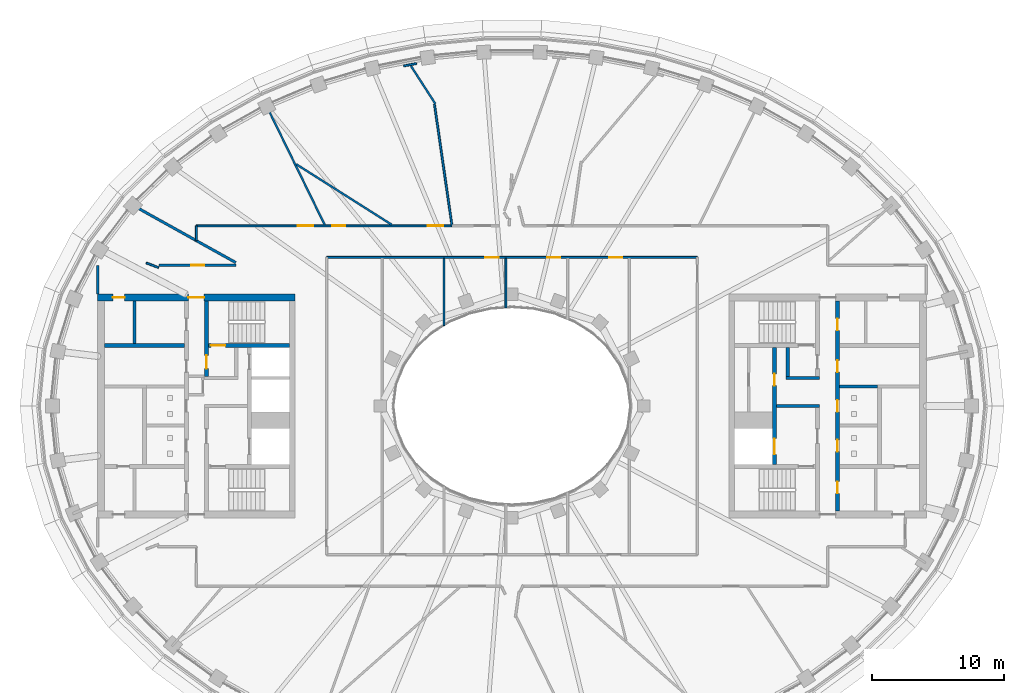
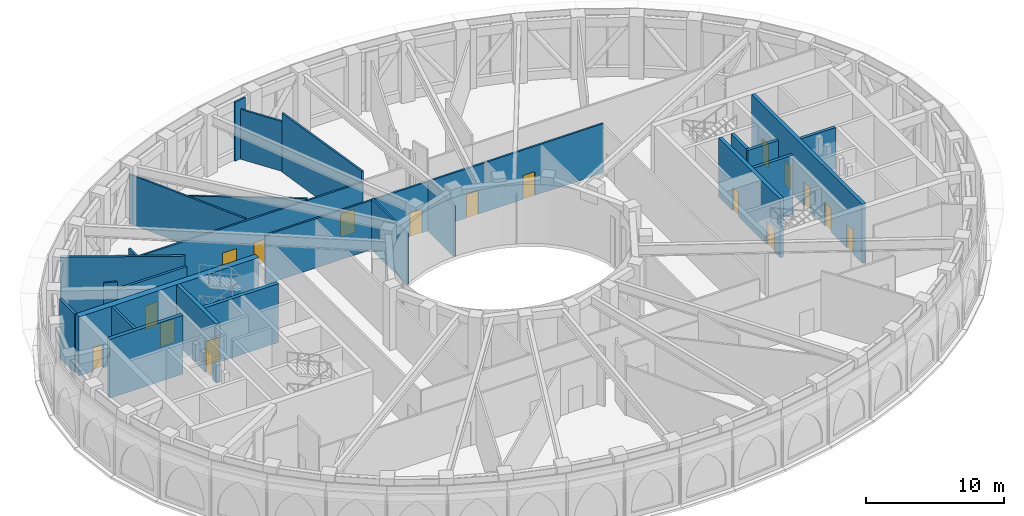
# One storey, part 7 of 23: 25 walls, 18 doors, 18 openings.
"""IFC4 building model written with IfcOpenShell, lengths in metres."""

from ifc_helpers import new_model, si_unit, direction, frame, frame_2d, origin, place, context, subcontext, project, spatial, rectangle, extrude, material, layer, layer_set, type_object, element, fill, save


model = new_model("IFC4")

# Units and contexts
model_context = context("Model", 3, precision=1e-05, world=origin(), true_north=direction((0.0, 1.0)))
body_context = subcontext(model_context, "Body", "Model", "MODEL_VIEW")
ifc_project = project(units=[si_unit("LENGTHUNIT", "METRE"), si_unit("AREAUNIT", "SQUARE_METRE"), si_unit("VOLUMEUNIT", "CUBIC_METRE"), si_unit("PLANEANGLEUNIT", "RADIAN"), si_unit("MASSUNIT", "GRAM", prefix="KILO")], contexts=[model_context])

# Site, building, storey
site_placement = place(None, origin())
site = spatial("IfcSite", under=ifc_project, at=site_placement, CompositionType="ELEMENT")
building_placement = place(site_placement, origin())
building = spatial("IfcBuilding", under=site, at=building_placement, Name="Noorbagh Ring Tower", CompositionType="ELEMENT")
storey_placement = place(building_placement, frame((0.0, 0.0, 285.5)))
storey = spatial("IfcBuildingStorey", under=building, at=storey_placement, Name="L61", CompositionType="ELEMENT", Elevation=285.5)

# Wall
ifc_material_1 = material(Name="Gypsum board on steel studs", Category="steel")
ifc_layer_1 = layer(ifc_material_1, 0.14990234375)
ifc_layer_set_1 = layer_set([ifc_layer_1], Name="Gypsum board on steel studs")
wall_type_1 = type_object("IfcWallType", Name="COMPARTMENT PARTITION 150 EI 60", PredefinedType="PARTITIONING", material=ifc_layer_set_1)
wall_1_placement = place(storey_placement, frame((-24.0, 12.572509765625, 0.0), z_axis=(0.0, 0.0, 1.0), x_axis=(0.0, 1.0, 0.0)))
element("IfcWall", 1, at=wall_1_placement, inside=storey, type_object=wall_type_1, Name="L61/wall/P10", PredefinedType="PARTITIONING", context=body_context, shape_type="SweptSolid", body=[
    extrude(rectangle(XDim=1.12744140625, YDim=0.14990234375, at=frame_2d((0.563720703125, 0.0))), origin(), (0.0, 0.0, 1.0), 5.199951171875),
])

# Wall, openings, doors
wall_2_placement = place(storey_placement, frame((-24.0, 13.699951171875, 0.0), z_axis=(0.0, 0.0, 1.0), x_axis=(1.0, 0.0, 0.0)))
wall_2 = element("IfcWall", 2, at=wall_2_placement, inside=storey, type_object=wall_type_1, Name="L61/wall/P11", PredefinedType="PARTITIONING", context=body_context, shape_type="SweptSolid", body=[
    extrude(rectangle(XDim=19.419921875, YDim=0.14990234375, at=frame_2d((9.7099609375, 0.0))), origin(), (0.0, 0.0, 1.0), 4.25),
])
opening_1_placement = place(wall_2_placement, frame((7.696044921875, 0.0, 0.0)))
opening_1 = element("IfcOpeningElement", 3, at=opening_1_placement, cuts=wall_2, Name="Opening D7", PredefinedType="OPENING", context=body_context, shape_type="SweptSolid", body=[
    extrude(rectangle(XDim=1.199951171875, YDim=2.10009765625, at=frame_2d((0.60009765625, 1.050048828125))), frame((0.0, 0.0849609375, 0.0), z_axis=(0.0, -1.0, 0.0), x_axis=(1.0, 0.0, 0.0)), (0.0, 0.0, 1.0), 0.169921875),
])
opening_2_placement = place(wall_2_placement, frame((17.590087890625, 0.0, 0.0)))
opening_2 = element("IfcOpeningElement", 4, at=opening_2_placement, cuts=wall_2, Name="Opening D7", PredefinedType="OPENING", context=body_context, shape_type="SweptSolid", body=[
    extrude(rectangle(XDim=1.199951171875, YDim=2.10009765625, at=frame_2d((0.60009765625, 1.050048828125))), frame((0.0, 0.0849609375, 0.0), z_axis=(0.0, -1.0, 0.0), x_axis=(1.0, 0.0, 0.0)), (0.0, 0.0, 1.0), 0.169921875),
])
opening_3_placement = place(wall_2_placement, frame((10.337890625, 0.0, 0.0)))
opening_3 = element("IfcOpeningElement", 5, at=opening_3_placement, cuts=wall_2, Name="Opening D6", PredefinedType="OPENING", context=body_context, shape_type="SweptSolid", body=[
    extrude(rectangle(XDim=1.0, YDim=2.10009765625, at=frame_2d((0.5, 1.050048828125))), frame((0.0, 0.0849609375, 0.0), z_axis=(0.0, -1.0, 0.0), x_axis=(1.0, 0.0, 0.0)), (0.0, 0.0, 1.0), 0.169921875),
])
ifc_material_2 = material(Name="Timber, painted", Category="wood")
door_type_1 = type_object("IfcDoorType", Name="DOOR 1000 X 2100 FD60", OperationType="SINGLE_SWING_LEFT", PredefinedType="DOOR", material=ifc_material_2)
door_1_placement = place(opening_3_placement, origin())
door_1 = element("IfcDoor", 6, at=door_1_placement, inside=storey, type_object=door_type_1, Name="L61-D06", OperationType="SINGLE_SWING_RIGHT", OverallHeight=2.10009765625, OverallWidth=1.0, PredefinedType="DOOR", context=body_context, shape_type="SweptSolid", body=[
    extrude(rectangle(XDim=1.0, YDim=2.10009765625, at=frame_2d((0.5, 1.050048828125))), frame((0.0, 0.02490234375, 0.0), z_axis=(0.0, -1.0, 0.0), x_axis=(1.0, 0.0, 0.0)), (0.0, 0.0, 1.0), 0.050048828125),
])
fill(opening_3, door_1)
ifc_material_3 = material(Name="Timber, painted", Category="wood")
door_type_2 = type_object("IfcDoorType", Name="DOOR 1200 X 2100 FD60", OperationType="SINGLE_SWING_LEFT", PredefinedType="DOOR", material=ifc_material_3)
door_2_placement = place(opening_1_placement, origin())
door_2 = element("IfcDoor", 7, at=door_2_placement, inside=storey, type_object=door_type_2, Name="L61-D03", OperationType="SINGLE_SWING_LEFT", OverallHeight=2.10009765625, OverallWidth=1.199951171875, PredefinedType="DOOR", context=body_context, shape_type="SweptSolid", body=[
    extrude(rectangle(XDim=1.199951171875, YDim=2.10009765625, at=frame_2d((0.60009765625, 1.050048828125))), frame((0.0, 0.02490234375, 0.0), z_axis=(0.0, -1.0, 0.0), x_axis=(1.0, 0.0, 0.0)), (0.0, 0.0, 1.0), 0.050048828125),
])
fill(opening_1, door_2)
door_3_placement = place(opening_2_placement, origin())
door_3 = element("IfcDoor", 8, at=door_3_placement, inside=storey, type_object=door_type_2, Name="L61-D05", OperationType="SINGLE_SWING_LEFT", OverallHeight=2.10009765625, OverallWidth=1.199951171875, PredefinedType="DOOR", context=body_context, shape_type="SweptSolid", body=[
    extrude(rectangle(XDim=1.199951171875, YDim=2.10009765625, at=frame_2d((0.60009765625, 1.050048828125))), frame((0.0, 0.02490234375, 0.0), z_axis=(0.0, -1.0, 0.0), x_axis=(1.0, 0.0, 0.0)), (0.0, 0.0, 1.0), 0.050048828125),
])
fill(opening_2, door_3)

# Walls
wall_3_placement = place(storey_placement, frame((-18.68994140625, 22.875, 0.0), z_axis=(0.0, 0.0, 1.0), x_axis=(0.439213157978, -0.898382881548, 0.0)))
element("IfcWall", 9, at=wall_3_placement, inside=storey, type_object=wall_type_1, Name="L61/wall/P12", PredefinedType="PARTITIONING", context=body_context, shape_type="SweptSolid", body=[
    extrude(rectangle(XDim=10.12939453125, YDim=0.14990234375, at=frame_2d((5.064697265625, 0.0))), origin(), (0.0, 0.0, 1.0), 4.35009765625),
])
wall_4_placement = place(storey_placement, frame((-16.412109375, 18.385986328125, 0.0), z_axis=(0.0, 0.0, 1.0), x_axis=(0.844880980816, -0.534954323523, 0.0)))
element("IfcWall", 10, at=wall_4_placement, inside=storey, type_object=wall_type_1, Name="L61/wall/P13", PredefinedType="PARTITIONING", context=body_context, shape_type="SweptSolid", body=[
    extrude(rectangle(XDim=8.615478515625, YDim=0.14990234375, at=frame_2d((4.3076171875, 0.0))), origin(), (0.0, 0.0, 1.0), 4.35009765625),
])

# Wall, openings, doors
wall_5_placement = place(storey_placement, frame((-14.10009765625, 11.300048828125, 0.0), z_axis=(0.0, 0.0, 1.0), x_axis=(1.0, 0.0, 0.0)))
wall_5 = element("IfcWall", 11, at=wall_5_placement, inside=storey, type_object=wall_type_1, Name="L61/wall/P17", PredefinedType="PARTITIONING", context=body_context, shape_type="SweptSolid", body=[
    extrude(rectangle(XDim=28.2001953125, YDim=0.14990234375, at=frame_2d((14.10009765625, 0.0))), origin(), (0.0, 0.0, 1.0), 4.35009765625),
])
opening_4_placement = place(wall_5_placement, frame((12.080078125, 0.0, 0.0)))
opening_4 = element("IfcOpeningElement", 12, at=opening_4_placement, cuts=wall_5, Name="Opening D6", PredefinedType="OPENING", context=body_context, shape_type="SweptSolid", body=[
    extrude(rectangle(XDim=1.0, YDim=2.10009765625, at=frame_2d((0.5, 1.050048828125))), frame((0.0, 0.0849609375, 0.0), z_axis=(0.0, -1.0, 0.0), x_axis=(1.0, 0.0, 0.0)), (0.0, 0.0, 1.0), 0.169921875),
])
opening_5_placement = place(wall_5_placement, frame((16.780029296875, 0.0, 0.0)))
opening_5 = element("IfcOpeningElement", 13, at=opening_5_placement, cuts=wall_5, Name="Opening D6", PredefinedType="OPENING", context=body_context, shape_type="SweptSolid", body=[
    extrude(rectangle(XDim=1.0, YDim=2.10009765625, at=frame_2d((0.5, 1.050048828125))), frame((0.0, 0.0849609375, 0.0), z_axis=(0.0, -1.0, 0.0), x_axis=(1.0, 0.0, 0.0)), (0.0, 0.0, 1.0), 0.169921875),
])
opening_6_placement = place(wall_5_placement, frame((21.47998046875, 0.0, 0.0)))
opening_6 = element("IfcOpeningElement", 14, at=opening_6_placement, cuts=wall_5, Name="Opening D6", PredefinedType="OPENING", context=body_context, shape_type="SweptSolid", body=[
    extrude(rectangle(XDim=1.0, YDim=2.10009765625, at=frame_2d((0.5, 1.050048828125))), frame((0.0, 0.0849609375, 0.0), z_axis=(0.0, -1.0, 0.0), x_axis=(1.0, 0.0, 0.0)), (0.0, 0.0, 1.0), 0.169921875),
])
door_4_placement = place(opening_4_placement, origin())
door_4 = element("IfcDoor", 15, at=door_4_placement, inside=storey, type_object=door_type_1, Name="L61-D22", OperationType="SINGLE_SWING_RIGHT", OverallHeight=2.10009765625, OverallWidth=1.0, PredefinedType="DOOR", context=body_context, shape_type="SweptSolid", body=[
    extrude(rectangle(XDim=1.0, YDim=2.10009765625, at=frame_2d((0.5, 1.050048828125))), frame((0.0, 0.02490234375, 0.0), z_axis=(0.0, -1.0, 0.0), x_axis=(1.0, 0.0, 0.0)), (0.0, 0.0, 1.0), 0.050048828125),
])
fill(opening_4, door_4)
door_5_placement = place(opening_5_placement, origin())
door_5 = element("IfcDoor", 16, at=door_5_placement, inside=storey, type_object=door_type_1, Name="L61-D24", OperationType="SINGLE_SWING_RIGHT", OverallHeight=2.10009765625, OverallWidth=1.0, PredefinedType="DOOR", context=body_context, shape_type="SweptSolid", body=[
    extrude(rectangle(XDim=1.0, YDim=2.10009765625, at=frame_2d((0.5, 1.050048828125))), frame((0.0, 0.02490234375, 0.0), z_axis=(0.0, -1.0, 0.0), x_axis=(1.0, 0.0, 0.0)), (0.0, 0.0, 1.0), 0.050048828125),
])
fill(opening_5, door_5)
door_6_placement = place(opening_6_placement, origin())
door_6 = element("IfcDoor", 17, at=door_6_placement, inside=storey, type_object=door_type_1, Name="L61-D26", OperationType="SINGLE_SWING_RIGHT", OverallHeight=2.10009765625, OverallWidth=1.0, PredefinedType="DOOR", context=body_context, shape_type="SweptSolid", body=[
    extrude(rectangle(XDim=1.0, YDim=2.10009765625, at=frame_2d((0.5, 1.050048828125))), frame((0.0, 0.02490234375, 0.0), z_axis=(0.0, -1.0, 0.0), x_axis=(1.0, 0.0, 0.0)), (0.0, 0.0, 1.0), 0.050048828125),
])
fill(opening_6, door_6)

# Walls
wall_6_placement = place(storey_placement, frame((-7.6826171875, 25.85009765625, 0.0), z_axis=(0.0, 0.0, 1.0), x_axis=(0.542618686321, -0.839979143346, 0.0)))
element("IfcWall", 18, at=wall_6_placement, inside=storey, type_object=wall_type_1, Name="L61/wall/P21", PredefinedType="PARTITIONING", context=body_context, shape_type="SweptSolid", body=[
    extrude(rectangle(XDim=3.42529296875, YDim=0.14990234375, at=frame_2d((1.712646484375, 0.0))), origin(), (0.0, 0.0, 1.0), 4.39990234375),
])
wall_7_placement = place(storey_placement, frame((-5.89599609375, 22.946044921875, 0.0), z_axis=(0.0, 0.0, 1.0), x_axis=(0.143001721329, -0.989722439726, 0.0)))
element("IfcWall", 19, at=wall_7_placement, inside=storey, type_object=wall_type_1, Name="L61/wall/P22", PredefinedType="PARTITIONING", context=body_context, shape_type="SweptSolid", body=[
    extrude(rectangle(XDim=9.342041015625, YDim=0.14990234375, at=frame_2d((4.6708984375, 0.0))), origin(), (0.0, 0.0, 1.0), 5.199951171875),
])
wall_8_placement = place(storey_placement, frame((-5.169921875, 6.10498046875, 0.0), z_axis=(0.0, 0.0, 1.0), x_axis=(0.0, 1.0, 0.0)))
element("IfcWall", 20, at=wall_8_placement, inside=storey, type_object=wall_type_1, Name="L61/wall/P24", PredefinedType="PARTITIONING", context=body_context, shape_type="SweptSolid", body=[
    extrude(rectangle(XDim=5.1201171875, YDim=0.14990234375, at=frame_2d((2.56005859375, 0.0))), origin(), (0.0, 0.0, 1.0), 4.5),
])
wall_9_placement = place(storey_placement, frame((-0.469970703125, 7.468994140625, 0.0), z_axis=(0.0, 0.0, 1.0), x_axis=(0.0, 1.0, 0.0)))
element("IfcWall", 21, at=wall_9_placement, inside=storey, type_object=wall_type_1, Name="L61/wall/P29", PredefinedType="PARTITIONING", context=body_context, shape_type="SweptSolid", body=[
    extrude(rectangle(XDim=3.756103515625, YDim=0.14990234375, at=frame_2d((1.8779296875, 0.0))), origin(), (0.0, 0.0, 1.0), 4.5),
])
for number, where, z_axis, x_axis, name in (
    (22, (-27.806396484375, 10.876953125, 0.0), (0.0, 0.0, 1.0), (0.935251310729, -0.35398444285, 0.0), "L61/wall/P63"),
    (23, (-7.253662109375, 26.04150390625, 0.0), (0.0, 0.0, 1.0), (-0.981609036544, -0.190902329415, 0.0), "L61/wall/P65"),
):
    element("IfcWall", number, at=place(storey_placement, frame(where, z_axis=z_axis, x_axis=x_axis)), inside=storey, type_object=wall_type_1, Name=name, PredefinedType="PARTITIONING", context=body_context, shape_type="SweptSolid", body=[
        extrude(rectangle(XDim=1.0, YDim=0.14990234375, at=frame_2d((0.5, 0.0))), origin(), (0.0, 0.0, 1.0), 5.199951171875),
    ])
ifc_material_4 = material(Name="Gypsum board on steel studs", Category="steel")
ifc_layer_2 = layer(ifc_material_4, 0.199951171875)
ifc_layer_set_2 = layer_set([ifc_layer_2], Name="Gypsum board on steel studs")
wall_type_2 = type_object("IfcWallType", Name="CORE-PARTITION-200", PredefinedType="PARTITIONING", material=ifc_layer_set_2)
wall_10_placement = place(storey_placement, frame((-28.699951171875, 4.75, 0.0), z_axis=(0.0, 0.0, 1.0), x_axis=(0.0, 1.0, 0.0)))
element("IfcWall", 24, at=wall_10_placement, inside=storey, type_object=wall_type_2, Name="Core partition W", PredefinedType="PARTITIONING", context=body_context, shape_type="SweptSolid", body=[
    extrude(rectangle(XDim=3.25, YDim=0.199951171875, at=frame_2d((1.625, 0.0))), origin(), (0.0, 0.0, 1.0), 5.199951171875),
])
ifc_material_5 = material(Name="Concrete C50/60", Category="concrete")
ifc_layer_3 = layer(ifc_material_5, 0.25)
ifc_layer_set_3 = layer_set([ifc_layer_3], Name="Concrete C50/60")
wall_type_3 = type_object("IfcWallType", Name="CORE-WALL-250-C50-60-EI120", PredefinedType="SHEAR", material=ifc_layer_set_3)
wall_11_placement = place(storey_placement, frame((24.89990234375, 1.47509765625, 0.0), z_axis=(0.0, 0.0, 1.0), x_axis=(1.0, 0.0, 0.0)))
element("IfcWall", 25, at=wall_11_placement, inside=storey, type_object=wall_type_3, Name="Core wall E", PredefinedType="SHEAR", context=body_context, shape_type="SweptSolid", body=[
    extrude(rectangle(XDim=2.900146484375, YDim=0.25, at=frame_2d((1.4501953125, 0.0))), origin(), (0.0, 0.0, 1.0), 5.199951171875),
])
ifc_material_6 = material(Name="Concrete C50/60", Category="concrete")
ifc_layer_4 = layer(ifc_material_6, 0.25)
ifc_layer_set_4 = layer_set([ifc_layer_4], Name="Concrete C50/60")
wall_type_4 = type_object("IfcWallType", Name="CORE-WALL-250-C50-60-EI240", PredefinedType="SHEAR", material=ifc_layer_set_4)
wall_12_placement = place(storey_placement, frame((20.10009765625, 0.0, 0.0), z_axis=(0.0, 0.0, 1.0), x_axis=(1.0, 0.0, 0.0)))
element("IfcWall", 26, at=wall_12_placement, inside=storey, type_object=wall_type_4, Name="Core wall E", PredefinedType="SHEAR", context=body_context, shape_type="SweptSolid", body=[
    extrude(rectangle(XDim=3.27978515625, YDim=0.25, at=frame_2d((1.639892578125, 0.0))), origin(), (0.0, 0.0, 1.0), 5.199951171875),
])
wall_13_placement = place(storey_placement, frame((20.85009765625, 2.125, 0.0), z_axis=(0.0, 0.0, 1.0), x_axis=(1.0, 0.0, 0.0)))
element("IfcWall", 27, at=wall_13_placement, inside=storey, type_object=wall_type_4, Name="Core wall E", PredefinedType="SHEAR", context=body_context, shape_type="SweptSolid", body=[
    extrude(rectangle(XDim=2.52978515625, YDim=0.25, at=frame_2d((1.264892578125, 0.0))), origin(), (0.0, 0.0, 1.0), 5.199951171875),
])
wall_14_placement = place(storey_placement, frame((20.97509765625, 2.25, 0.0), z_axis=(0.0, 0.0, 1.0), x_axis=(0.0, 1.0, 0.0)))
element("IfcWall", 28, at=wall_14_placement, inside=storey, type_object=wall_type_4, Name="Core wall E", PredefinedType="SHEAR", context=body_context, shape_type="SweptSolid", body=[
    extrude(rectangle(XDim=2.199951171875, YDim=0.25, at=frame_2d((1.10009765625, 0.0))), origin(), (0.0, 0.0, 1.0), 5.199951171875),
])

# Wall, openings, doors
ifc_material_7 = material(Name="Concrete C50/60", Category="concrete")
ifc_layer_5 = layer(ifc_material_7, 0.300048828125)
ifc_layer_set_5 = layer_set([ifc_layer_5], Name="Concrete C50/60")
wall_type_5 = type_object("IfcWallType", Name="CORE-WALL-300-C50-60-EI120", PredefinedType="SHEAR", material=ifc_layer_set_5)
wall_15_placement = place(storey_placement, frame((19.949951171875, -4.449951171875, 0.0), z_axis=(0.0, 0.0, 1.0), x_axis=(0.0, 1.0, 0.0)))
wall_15 = element("IfcWall", 29, at=wall_15_placement, inside=storey, type_object=wall_type_5, Name="Core wall E", PredefinedType="SHEAR", context=body_context, shape_type="SweptSolid", body=[
    extrude(rectangle(XDim=8.89990234375, YDim=0.300048828125, at=frame_2d((4.449951171875, 0.0))), origin(), (0.0, 0.0, 1.0), 5.199951171875),
])
opening_7_placement = place(wall_15_placement, frame((0.77490234375, 0.0, 0.0)))
opening_7 = element("IfcOpeningElement", 30, at=opening_7_placement, cuts=wall_15, Name="Opening L61-CE01", PredefinedType="OPENING", context=body_context, shape_type="SweptSolid", body=[
    extrude(rectangle(XDim=1.199951171875, YDim=2.10009765625, at=frame_2d((0.60009765625, 1.050048828125))), frame((0.0, 0.16015625, 0.0), z_axis=(0.0, -1.0, 0.0), x_axis=(1.0, 0.0, 0.0)), (0.0, 0.0, 1.0), 0.320068359375),
])
opening_8_placement = place(wall_15_placement, frame((6.0, 0.0, 0.0)))
opening_8 = element("IfcOpeningElement", 31, at=opening_8_placement, cuts=wall_15, Name="Opening L61-CE08", PredefinedType="OPENING", context=body_context, shape_type="SweptSolid", body=[
    extrude(rectangle(XDim=0.89990234375, YDim=2.10009765625, at=frame_2d((0.449951171875, 1.050048828125))), frame((0.0, 0.16015625, 0.0), z_axis=(0.0, -1.0, 0.0), x_axis=(1.0, 0.0, 0.0)), (0.0, 0.0, 1.0), 0.320068359375),
])
ifc_material_8 = material(Name="Steel door leaf", Category="steel")
door_type_3 = type_object("IfcDoorType", Name="CORE-DOOR-DROOM", OperationType="SINGLE_SWING_LEFT", PredefinedType="DOOR", material=ifc_material_8)
door_7_placement = place(opening_8_placement, origin())
door_7 = element("IfcDoor", 32, at=door_7_placement, inside=storey, type_object=door_type_3, Name="Core room door L61-CE08", OperationType="SINGLE_SWING_RIGHT", OverallHeight=2.10009765625, OverallWidth=0.89990234375, PredefinedType="DOOR", context=body_context, shape_type="SweptSolid", body=[
    extrude(rectangle(XDim=0.89990234375, YDim=2.10009765625, at=frame_2d((0.449951171875, 1.050048828125))), frame((0.0, 0.02490234375, 0.0), z_axis=(0.0, -1.0, 0.0), x_axis=(1.0, 0.0, 0.0)), (0.0, 0.0, 1.0), 0.050048828125),
])
fill(opening_8, door_7)
ifc_material_9 = material(Name="Steel door leaf", Category="steel")
door_type_4 = type_object("IfcDoorType", Name="CORE-DOOR-LDW", OperationType="DOUBLE_DOOR_SLIDING", PredefinedType="DOOR", material=ifc_material_9)
door_8_placement = place(opening_7_placement, origin())
door_8 = element("IfcDoor", 33, at=door_8_placement, inside=storey, type_object=door_type_4, Name="Landing door FF2 L61-CE01", OperationType="DOUBLE_DOOR_SLIDING", OverallHeight=2.10009765625, OverallWidth=1.199951171875, PredefinedType="DOOR", context=body_context, shape_type="SweptSolid", body=[
    extrude(rectangle(XDim=1.199951171875, YDim=2.10009765625, at=frame_2d((0.60009765625, 1.050048828125))), frame((0.0, 0.02490234375, 0.0), z_axis=(0.0, -1.0, 0.0), x_axis=(1.0, 0.0, 0.0)), (0.0, 0.0, 1.0), 0.050048828125),
])
fill(opening_7, door_8)

wall_16_placement = place(storey_placement, frame((24.75, -8.0, 0.0), z_axis=(0.0, 0.0, 1.0), x_axis=(0.0, 1.0, 0.0)))
wall_16 = element("IfcWall", 34, at=wall_16_placement, inside=storey, type_object=wall_type_5, Name="Core wall E", PredefinedType="SHEAR", context=body_context, shape_type="SweptSolid", body=[
    extrude(rectangle(XDim=16.0, YDim=0.300048828125, at=frame_2d((8.0, 0.0))), origin(), (0.0, 0.0, 1.0), 5.199951171875),
])
opening_9_placement = place(wall_16_placement, frame((4.52490234375, 0.0, 0.0)))
opening_9 = element("IfcOpeningElement", 35, at=opening_9_placement, cuts=wall_16, Name="Opening L61-CE10", PredefinedType="OPENING", context=body_context, shape_type="SweptSolid", body=[
    extrude(rectangle(XDim=0.89990234375, YDim=2.10009765625, at=frame_2d((0.449951171875, 1.050048828125))), frame((0.0, 0.16015625, 0.0), z_axis=(0.0, -1.0, 0.0), x_axis=(1.0, 0.0, 0.0)), (0.0, 0.0, 1.0), 0.320068359375),
])
opening_10_placement = place(wall_16_placement, frame((7.550048828125, 0.0, 0.0)))
opening_10 = element("IfcOpeningElement", 36, at=opening_10_placement, cuts=wall_16, Name="Opening L61-CE11", PredefinedType="OPENING", context=body_context, shape_type="SweptSolid", body=[
    extrude(rectangle(XDim=0.89990234375, YDim=2.10009765625, at=frame_2d((0.449951171875, 1.050048828125))), frame((0.0, 0.16015625, 0.0), z_axis=(0.0, -1.0, 0.0), x_axis=(1.0, 0.0, 0.0)), (0.0, 0.0, 1.0), 0.320068359375),
])
opening_11_placement = place(wall_16_placement, frame((10.574951171875, 0.0, 0.0)))
opening_11 = element("IfcOpeningElement", 37, at=opening_11_placement, cuts=wall_16, Name="Opening L61-CE12", PredefinedType="OPENING", context=body_context, shape_type="SweptSolid", body=[
    extrude(rectangle(XDim=0.89990234375, YDim=2.10009765625, at=frame_2d((0.449951171875, 1.050048828125))), frame((0.0, 0.16015625, 0.0), z_axis=(0.0, -1.0, 0.0), x_axis=(1.0, 0.0, 0.0)), (0.0, 0.0, 1.0), 0.320068359375),
])
opening_12_placement = place(wall_16_placement, frame((13.75, 0.0, 0.0)))
opening_12 = element("IfcOpeningElement", 38, at=opening_12_placement, cuts=wall_16, Name="Opening L61-CE13", PredefinedType="OPENING", context=body_context, shape_type="SweptSolid", body=[
    extrude(rectangle(XDim=0.89990234375, YDim=2.10009765625, at=frame_2d((0.449951171875, 1.050048828125))), frame((0.0, 0.16015625, 0.0), z_axis=(0.0, -1.0, 0.0), x_axis=(1.0, 0.0, 0.0)), (0.0, 0.0, 1.0), 0.320068359375),
])
opening_13_placement = place(wall_16_placement, frame((1.35009765625, 0.0, 0.0)))
opening_13 = element("IfcOpeningElement", 39, at=opening_13_placement, cuts=wall_16, Name="Opening L61-CE15", PredefinedType="OPENING", context=body_context, shape_type="SweptSolid", body=[
    extrude(rectangle(XDim=0.89990234375, YDim=2.10009765625, at=frame_2d((0.449951171875, 1.050048828125))), frame((0.0, 0.16015625, 0.0), z_axis=(0.0, -1.0, 0.0), x_axis=(1.0, 0.0, 0.0)), (0.0, 0.0, 1.0), 0.320068359375),
])
door_9_placement = place(opening_9_placement, origin())
door_9 = element("IfcDoor", 40, at=door_9_placement, inside=storey, type_object=door_type_3, Name="Core room door L61-CE10", OperationType="SINGLE_SWING_LEFT", OverallHeight=2.10009765625, OverallWidth=0.89990234375, PredefinedType="DOOR", context=body_context, shape_type="SweptSolid", body=[
    extrude(rectangle(XDim=0.89990234375, YDim=2.10009765625, at=frame_2d((0.449951171875, 1.050048828125))), frame((0.0, 0.02490234375, 0.0), z_axis=(0.0, -1.0, 0.0), x_axis=(1.0, 0.0, 0.0)), (0.0, 0.0, 1.0), 0.050048828125),
])
fill(opening_9, door_9)
door_10_placement = place(opening_10_placement, origin())
door_10 = element("IfcDoor", 41, at=door_10_placement, inside=storey, type_object=door_type_3, Name="Core room door L61-CE11", OperationType="SINGLE_SWING_LEFT", OverallHeight=2.10009765625, OverallWidth=0.89990234375, PredefinedType="DOOR", context=body_context, shape_type="SweptSolid", body=[
    extrude(rectangle(XDim=0.89990234375, YDim=2.10009765625, at=frame_2d((0.449951171875, 1.050048828125))), frame((0.0, 0.02490234375, 0.0), z_axis=(0.0, -1.0, 0.0), x_axis=(1.0, 0.0, 0.0)), (0.0, 0.0, 1.0), 0.050048828125),
])
fill(opening_10, door_10)
door_11_placement = place(opening_11_placement, origin())
door_11 = element("IfcDoor", 42, at=door_11_placement, inside=storey, type_object=door_type_3, Name="Core room door L61-CE12", OperationType="SINGLE_SWING_LEFT", OverallHeight=2.10009765625, OverallWidth=0.89990234375, PredefinedType="DOOR", context=body_context, shape_type="SweptSolid", body=[
    extrude(rectangle(XDim=0.89990234375, YDim=2.10009765625, at=frame_2d((0.449951171875, 1.050048828125))), frame((0.0, 0.02490234375, 0.0), z_axis=(0.0, -1.0, 0.0), x_axis=(1.0, 0.0, 0.0)), (0.0, 0.0, 1.0), 0.050048828125),
])
fill(opening_11, door_11)
door_12_placement = place(opening_12_placement, origin())
door_12 = element("IfcDoor", 43, at=door_12_placement, inside=storey, type_object=door_type_3, Name="Core room door L61-CE13", OperationType="SINGLE_SWING_LEFT", OverallHeight=2.10009765625, OverallWidth=0.89990234375, PredefinedType="DOOR", context=body_context, shape_type="SweptSolid", body=[
    extrude(rectangle(XDim=0.89990234375, YDim=2.10009765625, at=frame_2d((0.449951171875, 1.050048828125))), frame((0.0, 0.02490234375, 0.0), z_axis=(0.0, -1.0, 0.0), x_axis=(1.0, 0.0, 0.0)), (0.0, 0.0, 1.0), 0.050048828125),
])
fill(opening_12, door_12)
door_13_placement = place(opening_13_placement, origin())
door_13 = element("IfcDoor", 44, at=door_13_placement, inside=storey, type_object=door_type_3, Name="Core room door L61-CE15", OperationType="SINGLE_SWING_RIGHT", OverallHeight=2.10009765625, OverallWidth=0.89990234375, PredefinedType="DOOR", context=body_context, shape_type="SweptSolid", body=[
    extrude(rectangle(XDim=0.89990234375, YDim=2.10009765625, at=frame_2d((0.449951171875, 1.050048828125))), frame((0.0, 0.02490234375, 0.0), z_axis=(0.0, -1.0, 0.0), x_axis=(1.0, 0.0, 0.0)), (0.0, 0.0, 1.0), 0.050048828125),
])
fill(opening_13, door_13)

# Wall
ifc_material_10 = material(Name="Concrete C50/60", Category="concrete")
ifc_layer_6 = layer(ifc_material_10, 0.300048828125)
ifc_layer_set_6 = layer_set([ifc_layer_6], Name="Concrete C50/60")
wall_type_6 = type_object("IfcWallType", Name="CORE-WALL-300-C50-60-EI240", PredefinedType="SHEAR", material=ifc_layer_set_6)
wall_17_placement = place(storey_placement, frame((-24.89990234375, 4.60009765625, 0.0), z_axis=(0.0, 0.0, 1.0), x_axis=(-1.0, 0.0, 0.0)))
element("IfcWall", 45, at=wall_17_placement, inside=storey, type_object=wall_type_6, Name="Core wall W", PredefinedType="SHEAR", context=body_context, shape_type="SweptSolid", body=[
    extrude(rectangle(XDim=6.10009765625, YDim=0.300048828125, at=frame_2d((3.050048828125, 0.0))), origin(), (0.0, 0.0, 1.0), 5.199951171875),
])

# Wall, opening, door
wall_18_placement = place(storey_placement, frame((-23.22998046875, 2.25, 0.0), z_axis=(0.0, 0.0, 1.0), x_axis=(0.0, 1.0, 0.0)))
wall_18 = element("IfcWall", 46, at=wall_18_placement, inside=storey, type_object=wall_type_6, Name="Core wall W", PredefinedType="SHEAR", context=body_context, shape_type="SweptSolid", body=[
    extrude(rectangle(XDim=5.75, YDim=0.300048828125, at=frame_2d((2.875, 0.0))), origin(), (0.0, 0.0, 1.0), 5.199951171875),
])
opening_14_placement = place(wall_18_placement, frame((0.60009765625, 0.0, 0.0)))
opening_14 = element("IfcOpeningElement", 47, at=opening_14_placement, cuts=wall_18, Name="Opening L61-CW06", PredefinedType="OPENING", context=body_context, shape_type="SweptSolid", body=[
    extrude(rectangle(XDim=1.0, YDim=2.10009765625, at=frame_2d((0.5, 1.050048828125))), frame((0.0, 0.16015625, 0.0), z_axis=(0.0, -1.0, 0.0), x_axis=(1.0, 0.0, 0.0)), (0.0, 0.0, 1.0), 0.320068359375),
])
ifc_material_11 = material(Name="Steel door leaf", Category="steel")
door_type_5 = type_object("IfcDoorType", Name="CORE-DOOR-DVEST", OperationType="SINGLE_SWING_LEFT", PredefinedType="DOOR", material=ifc_material_11)
door_14_placement = place(opening_14_placement, origin())
door_14 = element("IfcDoor", 48, at=door_14_placement, inside=storey, type_object=door_type_5, Name="Stair vestibule door L61-CW06", OperationType="SINGLE_SWING_LEFT", OverallHeight=2.10009765625, OverallWidth=1.0, PredefinedType="DOOR", context=body_context, shape_type="SweptSolid", body=[
    extrude(rectangle(XDim=1.0, YDim=2.10009765625, at=frame_2d((0.5, 1.050048828125))), frame((0.0, 0.02490234375, 0.0), z_axis=(0.0, -1.0, 0.0), x_axis=(1.0, 0.0, 0.0)), (0.0, 0.0, 1.0), 0.050048828125),
])
fill(opening_14, door_14)

wall_19_placement = place(storey_placement, frame((-16.89990234375, 4.60009765625, 0.0), z_axis=(0.0, 0.0, 1.0), x_axis=(-1.0, 0.0, 0.0)))
wall_19 = element("IfcWall", 49, at=wall_19_placement, inside=storey, type_object=wall_type_6, Name="Core wall W", PredefinedType="SHEAR", context=body_context, shape_type="SweptSolid", body=[
    extrude(rectangle(XDim=6.18017578125, YDim=0.300048828125, at=frame_2d((3.090087890625, 0.0))), origin(), (0.0, 0.0, 1.0), 5.199951171875),
])
opening_15_placement = place(wall_19_placement, frame((4.89990234375, 0.0, 0.0)))
opening_15 = element("IfcOpeningElement", 50, at=opening_15_placement, cuts=wall_19, Name="Opening L61-CW03", PredefinedType="OPENING", context=body_context, shape_type="SweptSolid", body=[
    extrude(rectangle(XDim=1.10009765625, YDim=2.10009765625, at=frame_2d((0.550048828125, 1.050048828125))), frame((0.0, 0.16015625, 0.0), z_axis=(0.0, -1.0, 0.0), x_axis=(1.0, 0.0, 0.0)), (0.0, 0.0, 1.0), 0.320068359375),
])
ifc_material_12 = material(Name="Steel door leaf", Category="steel")
door_type_6 = type_object("IfcDoorType", Name="CORE-DOOR-DSTAIR", OperationType="SINGLE_SWING_LEFT", PredefinedType="DOOR", material=ifc_material_12)
door_15_placement = place(opening_15_placement, origin())
door_15 = element("IfcDoor", 51, at=door_15_placement, inside=storey, type_object=door_type_6, Name="Stair door ST1 L61-CW03", OperationType="SINGLE_SWING_RIGHT", OverallHeight=2.10009765625, OverallWidth=1.10009765625, PredefinedType="DOOR", context=body_context, shape_type="SweptSolid", body=[
    extrude(rectangle(XDim=1.10009765625, YDim=2.10009765625, at=frame_2d((0.550048828125, 1.050048828125))), frame((0.0, 0.02490234375, 0.0), z_axis=(0.0, -1.0, 0.0), x_axis=(1.0, 0.0, 0.0)), (0.0, 0.0, 1.0), 0.050048828125),
])
fill(opening_15, door_15)

# Wall, openings, doors
ifc_material_13 = material(Name="Concrete C50/60", Category="concrete")
ifc_layer_7 = layer(ifc_material_13, 0.5)
ifc_layer_set_7 = layer_set([ifc_layer_7], Name="Concrete C50/60")
wall_type_7 = type_object("IfcWallType", Name="CORE-WALL-500-C50-60-EI240", PredefinedType="SHEAR", material=ifc_layer_set_7)
wall_20_placement = place(storey_placement, frame((-16.5, 8.25, 0.0), z_axis=(0.0, 0.0, 1.0), x_axis=(-1.0, 0.0, 0.0)))
wall_20 = element("IfcWall", 52, at=wall_20_placement, inside=storey, type_object=wall_type_7, Name="Core wall W", PredefinedType="SHEAR", context=body_context, shape_type="SweptSolid", body=[
    extrude(rectangle(XDim=15.0, YDim=0.5, at=frame_2d((7.5, 0.0))), origin(), (0.0, 0.0, 1.0), 5.199951171875),
])
opening_16_placement = place(wall_20_placement, frame((6.89990234375, 0.0, 0.0)))
opening_16 = element("IfcOpeningElement", 53, at=opening_16_placement, cuts=wall_20, Name="Opening L61-CW07", PredefinedType="OPENING", context=body_context, shape_type="SweptSolid", body=[
    extrude(rectangle(XDim=1.199951171875, YDim=2.10009765625, at=frame_2d((0.60009765625, 1.050048828125))), frame((0.0, 0.260009765625, 0.0), z_axis=(0.0, -1.0, 0.0), x_axis=(1.0, 0.0, 0.0)), (0.0, 0.0, 1.0), 0.52001953125),
])
opening_17_placement = place(wall_20_placement, frame((12.949951171875, 0.0, 0.0)))
opening_17 = element("IfcOpeningElement", 54, at=opening_17_placement, cuts=wall_20, Name="Opening L61-CW13", PredefinedType="OPENING", context=body_context, shape_type="SweptSolid", body=[
    extrude(rectangle(XDim=0.89990234375, YDim=2.10009765625, at=frame_2d((0.449951171875, 1.050048828125))), frame((0.0, 0.260009765625, 0.0), z_axis=(0.0, -1.0, 0.0), x_axis=(1.0, 0.0, 0.0)), (0.0, 0.0, 1.0), 0.52001953125),
])
door_16_placement = place(opening_17_placement, origin())
door_16 = element("IfcDoor", 55, at=door_16_placement, inside=storey, type_object=door_type_3, Name="Core room door L61-CW13", OperationType="SINGLE_SWING_RIGHT", OverallHeight=2.10009765625, OverallWidth=0.89990234375, PredefinedType="DOOR", context=body_context, shape_type="SweptSolid", body=[
    extrude(rectangle(XDim=0.89990234375, YDim=2.10009765625, at=frame_2d((0.449951171875, 1.050048828125))), frame((0.0, 0.02490234375, 0.0), z_axis=(0.0, -1.0, 0.0), x_axis=(1.0, 0.0, 0.0)), (0.0, 0.0, 1.0), 0.050048828125),
])
fill(opening_17, door_16)
ifc_material_14 = material(Name="Steel door leaf", Category="steel")
door_type_7 = type_object("IfcDoorType", Name="CORE-DOOR-PORT", OperationType="DOUBLE_DOOR_DOUBLE_SWING", PredefinedType="DOOR", material=ifc_material_14)
door_17_placement = place(opening_16_placement, origin())
door_17 = element("IfcDoor", 56, at=door_17_placement, inside=storey, type_object=door_type_7, Name="Core entrance door L61-CW07", OperationType="DOUBLE_DOOR_DOUBLE_SWING", OverallHeight=2.10009765625, OverallWidth=1.199951171875, PredefinedType="DOOR", context=body_context, shape_type="SweptSolid", body=[
    extrude(rectangle(XDim=1.199951171875, YDim=2.10009765625, at=frame_2d((0.60009765625, 1.050048828125))), frame((0.0, 0.02490234375, 0.0), z_axis=(0.0, -1.0, 0.0), x_axis=(1.0, 0.0, 0.0)), (0.0, 0.0, 1.0), 0.050048828125),
])
fill(opening_16, door_17)

# Wall
ifc_material_15 = material(Name="Gypsum board on steel studs", Category="steel")
ifc_layer_8 = layer(ifc_material_15, 0.199951171875)
ifc_layer_set_8 = layer_set([ifc_layer_8], Name="Gypsum board on steel studs")
wall_type_8 = type_object("IfcWallType", Name="SHAFT PARTITION 200 EI 120", PredefinedType="PARTITIONING", material=ifc_layer_set_8)
wall_21_placement = place(storey_placement, frame((-31.5, 8.5, 0.0), z_axis=(0.0, 0.0, 1.0), x_axis=(0.0, 1.0, 0.0)))
element("IfcWall", 57, at=wall_21_placement, inside=storey, type_object=wall_type_8, Name="L61/wall/P04", PredefinedType="PARTITIONING", context=body_context, shape_type="SweptSolid", body=[
    extrude(rectangle(XDim=2.199951171875, YDim=0.199951171875, at=frame_2d((1.10009765625, 0.0))), origin(), (0.0, 0.0, 1.0), 5.199951171875),
])

# Wall, opening, door
wall_22_placement = place(storey_placement, frame((-26.854248046875, 10.699951171875, 0.0), z_axis=(0.0, 0.0, 1.0), x_axis=(1.0, 0.0, 0.0)))
wall_22 = element("IfcWall", 58, at=wall_22_placement, inside=storey, type_object=wall_type_8, Name="L61/wall/P05", PredefinedType="PARTITIONING", context=body_context, shape_type="SweptSolid", body=[
    extrude(rectangle(XDim=5.854248046875, YDim=0.199951171875, at=frame_2d((2.92724609375, 0.0))), origin(), (0.0, 0.0, 1.0), 4.39990234375),
])
opening_18_placement = place(wall_22_placement, frame((2.454345703125, 0.0, 0.0)))
opening_18 = element("IfcOpeningElement", 59, at=opening_18_placement, cuts=wall_22, Name="Opening D5", PredefinedType="OPENING", context=body_context, shape_type="SweptSolid", body=[
    extrude(rectangle(XDim=1.0, YDim=2.10009765625, at=frame_2d((0.5, 1.050048828125))), frame((0.0, 0.10986328125, 0.0), z_axis=(0.0, -1.0, 0.0), x_axis=(1.0, 0.0, 0.0)), (0.0, 0.0, 1.0), 0.219970703125),
])
ifc_material_16 = material(Name="Timber, painted", Category="wood")
door_type_8 = type_object("IfcDoorType", Name="DOOR 1000 X 2100 FD120", OperationType="SINGLE_SWING_LEFT", PredefinedType="DOOR", material=ifc_material_16)
door_18_placement = place(opening_18_placement, origin())
door_18 = element("IfcDoor", 60, at=door_18_placement, inside=storey, type_object=door_type_8, Name="L61-D01", OperationType="SINGLE_SWING_RIGHT", OverallHeight=2.10009765625, OverallWidth=1.0, PredefinedType="DOOR", context=body_context, shape_type="SweptSolid", body=[
    extrude(rectangle(XDim=1.0, YDim=2.10009765625, at=frame_2d((0.5, 1.050048828125))), frame((0.0, 0.02490234375, 0.0), z_axis=(0.0, -1.0, 0.0), x_axis=(1.0, 0.0, 0.0)), (0.0, 0.0, 1.0), 0.050048828125),
])
fill(opening_18, door_18)

# Wall
wall_23_placement = place(storey_placement, frame((-28.89306640625, 15.297119140625, 0.0), z_axis=(0.0, 0.0, 1.0), x_axis=(0.873687771475, -0.486487078939, 0.0)))
element("IfcWall", 61, at=wall_23_placement, inside=storey, type_object=wall_type_8, Name="L61/wall/P06", PredefinedType="PARTITIONING", context=body_context, shape_type="SweptSolid", body=[
    extrude(rectangle(XDim=9.0341796875, YDim=0.199951171875, at=frame_2d((4.51708984375, 0.0))), origin(), (0.0, 0.0, 1.0), 5.199951171875),
])

save(model, "model.ifc")
